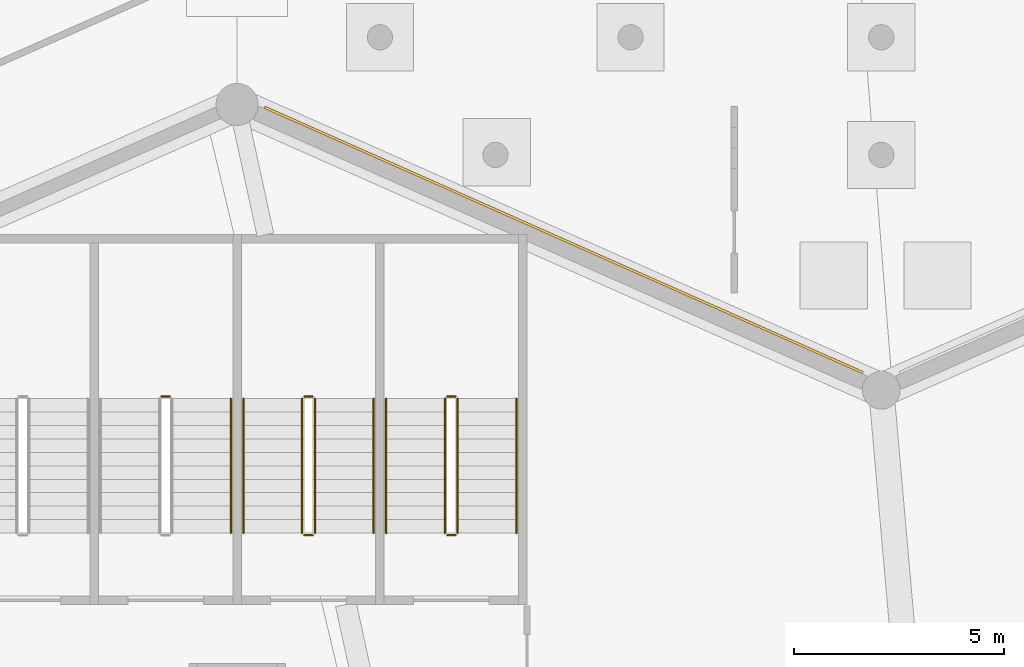
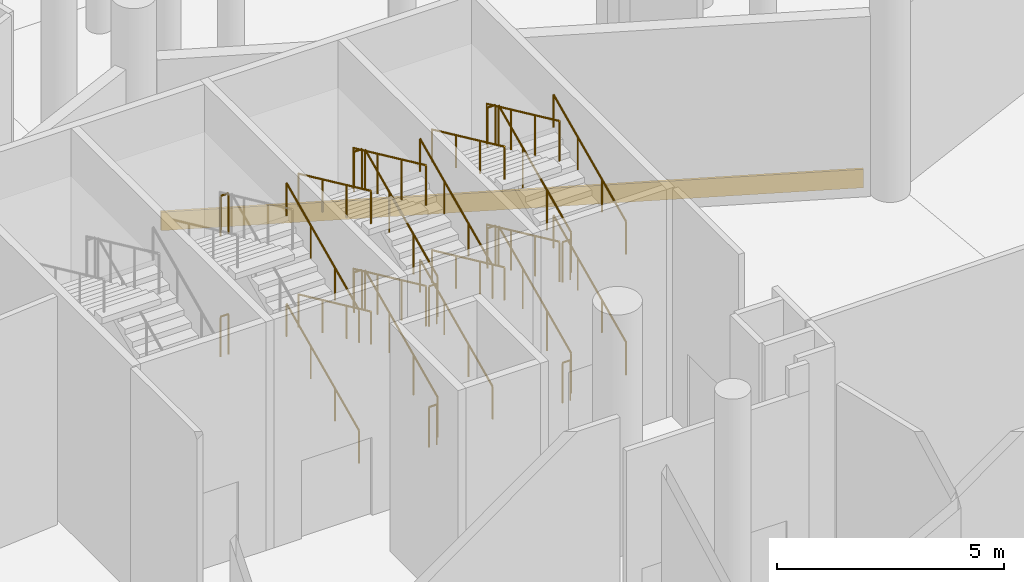
# One storey, part 237 of 255: 28 railings, 1 covering.
"""IFC4 building model written with IfcOpenShell, lengths in metres."""

from ifc_helpers import new_model, si_unit, direction, frame, origin, origin_2d, place, context, subcontext, project, spatial, rectangle, circle, extrude, material, layer, layer_set, type_object, element, save


model = new_model("IFC4")

# Units and contexts
model_context = context("Model", 3, precision=1e-05, world=origin(), true_north=direction((0.0, 1.0)))
body_context = subcontext(model_context, "Body", "Model", "MODEL_VIEW")
ifc_project = project(units=[si_unit("LENGTHUNIT", "METRE"), si_unit("AREAUNIT", "SQUARE_METRE"), si_unit("VOLUMEUNIT", "CUBIC_METRE"), si_unit("PLANEANGLEUNIT", "RADIAN"), si_unit("MASSUNIT", "GRAM", prefix="KILO")], contexts=[model_context])

# Site, building, storey
site_placement = place(None, origin())
site = spatial("IfcSite", under=ifc_project, at=site_placement, CompositionType="ELEMENT")
building_placement = place(site_placement, origin())
building = spatial("IfcBuilding", under=site, at=building_placement, Name="Meseta Stadium", CompositionType="ELEMENT")
storey_placement = place(building_placement, origin())
storey = spatial("IfcBuildingStorey", under=building, at=storey_placement, Name="L00", CompositionType="ELEMENT", Elevation=0.0)

# Covering
ifc_material_1 = material(Name="Guadarrama granite cladding", Category="masonry")
ifc_layer = layer(ifc_material_1, 0.06005859375)
ifc_layer_set = layer_set([ifc_layer], Name="Granite plinth cladding 60")
covering_type = type_object("IfcCoveringType", Name="Granite plinth cladding 60", PredefinedType="CLADDING", material=ifc_layer_set)
covering_placement = place(storey_placement, frame((-15.227294921875, 102.17724609375, 0.0), z_axis=(0.0, 0.0, 1.0), x_axis=(0.914139367606, -0.405400069798, 0.0)))
element("IfcCovering", 1, at=covering_placement, inside=storey, type_object=covering_type, Name="Granite plinth L00 F19", PredefinedType="CLADDING", context=body_context, shape_type="SweptSolid", body=[
    extrude(rectangle(XDim=15.58447265625, YDim=0.06005859375, at=origin_2d()), origin(), (0.0, 0.0, 1.0), 0.5),
])

# Railings
ifc_material_2 = material(Name="Steel S355", Category="steel")
railing_type_1 = type_object("IfcRailingType", Name="Stair guard 1100", PredefinedType="GUARDRAIL", material=ifc_material_2)
railing_1_placement = place(storey_placement, frame((-17.75, 95.199951171875, 0.147705078125)))
element("IfcRailing", 2, at=railing_1_placement, inside=storey, type_object=railing_type_1, Name="ST41 L00 guard 1", PredefinedType="GUARDRAIL", context=body_context, shape_type="SweptSolid", body=[
    extrude(circle(Radius=0.02392578125, at=origin_2d()), frame((0.0, 0.0, 1.076171875), z_axis=(0.0, 0.907916804346, 0.419150422148), x_axis=(-1.0, 0.0, 0.0)), (0.0, 0.0, 1.0), 3.5244140625),
    extrude(circle(Radius=0.02099609375, at=origin_2d()), origin(), (0.0, 0.0, 1.0), 1.052001953125),
    extrude(circle(Radius=0.02099609375, at=origin_2d()), frame((0.0, 1.066650390625, 0.492431640625)), (0.0, 0.0, 1.0), 1.052001953125),
    extrude(circle(Radius=0.02099609375, at=origin_2d()), frame((0.0, 2.13330078125, 0.98486328125)), (0.0, 0.0, 1.0), 1.052001953125),
    extrude(circle(Radius=0.02099609375, at=origin_2d()), frame((0.0, 3.199951171875, 1.477294921875)), (0.0, 0.0, 1.0), 1.052001953125),
])
railing_2_placement = place(storey_placement, frame((-17.800048828125, 98.449951171875, 1.625)))
element("IfcRailing", 3, at=railing_2_placement, inside=storey, type_object=railing_type_1, Name="ST41 L00 guard 2", PredefinedType="GUARDRAIL", context=body_context, shape_type="SweptSolid", body=[
    extrude(circle(Radius=0.02392578125, at=origin_2d()), frame((0.0, 0.0, 1.076171875), z_axis=(-1.0, 0.0, 0.0), x_axis=(0.0, -1.0, 0.0)), (0.0, 0.0, 1.0), 0.199951171875),
    extrude(circle(Radius=0.02099609375, at=origin_2d()), origin(), (0.0, 0.0, 1.0), 1.052001953125),
    extrude(circle(Radius=0.02099609375, at=origin_2d()), frame((-0.199951171875, 0.0, 0.0)), (0.0, 0.0, 1.0), 1.052001953125),
])
railing_3_placement = place(storey_placement, frame((-18.050048828125, 98.39990234375, 1.772705078125)))
element("IfcRailing", 4, at=railing_3_placement, inside=storey, type_object=railing_type_1, Name="ST41 L00 guard 3", PredefinedType="GUARDRAIL", context=body_context, shape_type="SweptSolid", body=[
    extrude(circle(Radius=0.02392578125, at=origin_2d()), frame((0.0, 0.0, 1.076171875), z_axis=(0.0, -0.907916804346, 0.419150422148), x_axis=(1.0, 0.0, 0.0)), (0.0, 0.0, 1.0), 3.5244140625),
    extrude(circle(Radius=0.02099609375, at=origin_2d()), origin(), (0.0, 0.0, 1.0), 1.052001953125),
    extrude(circle(Radius=0.02099609375, at=origin_2d()), frame((0.0, -1.066650390625, 0.492431640625)), (0.0, 0.0, 1.0), 1.052001953125),
    extrude(circle(Radius=0.02099609375, at=origin_2d()), frame((0.0, -2.13330078125, 0.98486328125)), (0.0, 0.0, 1.0), 1.052001953125),
    extrude(circle(Radius=0.02099609375, at=origin_2d()), frame((0.0, -3.199951171875, 1.477294921875)), (0.0, 0.0, 1.0), 1.052001953125),
])
railing_4_placement = place(storey_placement, frame((-17.800048828125, 95.14990234375, 3.25)))
element("IfcRailing", 5, at=railing_4_placement, inside=storey, type_object=railing_type_1, Name="ST41 L00 guard 4", PredefinedType="GUARDRAIL", context=body_context, shape_type="SweptSolid", body=[
    extrude(circle(Radius=0.02392578125, at=origin_2d()), frame((0.0, 0.0, 1.076171875), z_axis=(-1.0, 0.0, 0.0), x_axis=(0.0, -1.0, 0.0)), (0.0, 0.0, 1.0), 0.199951171875),
    extrude(circle(Radius=0.02099609375, at=origin_2d()), origin(), (0.0, 0.0, 1.0), 1.052001953125),
    extrude(circle(Radius=0.02099609375, at=origin_2d()), frame((-0.199951171875, 0.0, 0.0)), (0.0, 0.0, 1.0), 1.052001953125),
])
railing_5_placement = place(storey_placement, frame((-17.75, 95.199951171875, 3.397705078125)))
element("IfcRailing", 6, at=railing_5_placement, inside=storey, type_object=railing_type_1, Name="ST41 L00 guard 5", PredefinedType="GUARDRAIL", context=body_context, shape_type="SweptSolid", body=[
    extrude(circle(Radius=0.02392578125, at=origin_2d()), frame((0.0, 0.0, 1.076171875), z_axis=(0.0, 0.907916804346, 0.419150422148), x_axis=(-1.0, 0.0, 0.0)), (0.0, 0.0, 1.0), 3.5244140625),
    extrude(circle(Radius=0.02099609375, at=origin_2d()), origin(), (0.0, 0.0, 1.0), 1.052001953125),
    extrude(circle(Radius=0.02099609375, at=origin_2d()), frame((0.0, 1.066650390625, 0.492431640625)), (0.0, 0.0, 1.0), 1.052001953125),
    extrude(circle(Radius=0.02099609375, at=origin_2d()), frame((0.0, 2.13330078125, 0.98486328125)), (0.0, 0.0, 1.0), 1.052001953125),
    extrude(circle(Radius=0.02099609375, at=origin_2d()), frame((0.0, 3.199951171875, 1.477294921875)), (0.0, 0.0, 1.0), 1.052001953125),
])
railing_6_placement = place(storey_placement, frame((-17.800048828125, 98.449951171875, 4.875)))
element("IfcRailing", 7, at=railing_6_placement, inside=storey, type_object=railing_type_1, Name="ST41 L00 guard 6", PredefinedType="GUARDRAIL", context=body_context, shape_type="SweptSolid", body=[
    extrude(circle(Radius=0.02392578125, at=origin_2d()), frame((0.0, 0.0, 1.076171875), z_axis=(-1.0, 0.0, 0.0), x_axis=(0.0, -1.0, 0.0)), (0.0, 0.0, 1.0), 0.199951171875),
    extrude(circle(Radius=0.02099609375, at=origin_2d()), origin(), (0.0, 0.0, 1.0), 1.052001953125),
    extrude(circle(Radius=0.02099609375, at=origin_2d()), frame((-0.199951171875, 0.0, 0.0)), (0.0, 0.0, 1.0), 1.052001953125),
])
railing_7_placement = place(storey_placement, frame((-18.050048828125, 98.39990234375, 5.022705078125)))
element("IfcRailing", 8, at=railing_7_placement, inside=storey, type_object=railing_type_1, Name="ST41 L00 guard 7", PredefinedType="GUARDRAIL", context=body_context, shape_type="SweptSolid", body=[
    extrude(circle(Radius=0.02392578125, at=origin_2d()), frame((0.0, 0.0, 1.076171875), z_axis=(0.0, -0.907916804346, 0.419150422148), x_axis=(1.0, 0.0, 0.0)), (0.0, 0.0, 1.0), 3.5244140625),
    extrude(circle(Radius=0.02099609375, at=origin_2d()), origin(), (0.0, 0.0, 1.0), 1.052001953125),
    extrude(circle(Radius=0.02099609375, at=origin_2d()), frame((0.0, -1.066650390625, 0.492431640625)), (0.0, 0.0, 1.0), 1.052001953125),
    extrude(circle(Radius=0.02099609375, at=origin_2d()), frame((0.0, -2.13330078125, 0.98486328125)), (0.0, 0.0, 1.0), 1.052001953125),
    extrude(circle(Radius=0.02099609375, at=origin_2d()), frame((0.0, -3.199951171875, 1.477294921875)), (0.0, 0.0, 1.0), 1.052001953125),
])
railing_8_placement = place(storey_placement, frame((-17.800048828125, 95.14990234375, 0.0)))
element("IfcRailing", 9, at=railing_8_placement, inside=storey, type_object=railing_type_1, Name="ST41 L00 guard 8", PredefinedType="GUARDRAIL", context=body_context, shape_type="SweptSolid", body=[
    extrude(circle(Radius=0.02392578125, at=origin_2d()), frame((0.0, 0.0, 1.076171875), z_axis=(-1.0, 0.0, 0.0), x_axis=(0.0, -1.0, 0.0)), (0.0, 0.0, 1.0), 0.199951171875),
    extrude(circle(Radius=0.02099609375, at=origin_2d()), origin(), (0.0, 0.0, 1.0), 1.052001953125),
    extrude(circle(Radius=0.02099609375, at=origin_2d()), frame((-0.199951171875, 0.0, 0.0)), (0.0, 0.0, 1.0), 1.052001953125),
])
railing_9_placement = place(storey_placement, frame((-21.14990234375, 95.199951171875, 0.147705078125)))
element("IfcRailing", 10, at=railing_9_placement, inside=storey, type_object=railing_type_1, Name="ST42 L00 guard 1", PredefinedType="GUARDRAIL", context=body_context, shape_type="SweptSolid", body=[
    extrude(circle(Radius=0.02392578125, at=origin_2d()), frame((0.0, 0.0, 1.076171875), z_axis=(0.0, 0.907916804346, 0.419150422148), x_axis=(-1.0, 0.0, 0.0)), (0.0, 0.0, 1.0), 3.5244140625),
    extrude(circle(Radius=0.02099609375, at=origin_2d()), origin(), (0.0, 0.0, 1.0), 1.052001953125),
    extrude(circle(Radius=0.02099609375, at=origin_2d()), frame((0.0, 1.066650390625, 0.492431640625)), (0.0, 0.0, 1.0), 1.052001953125),
    extrude(circle(Radius=0.02099609375, at=origin_2d()), frame((0.0, 2.13330078125, 0.98486328125)), (0.0, 0.0, 1.0), 1.052001953125),
    extrude(circle(Radius=0.02099609375, at=origin_2d()), frame((0.0, 3.199951171875, 1.477294921875)), (0.0, 0.0, 1.0), 1.052001953125),
])
railing_10_placement = place(storey_placement, frame((-21.199951171875, 98.449951171875, 1.625)))
element("IfcRailing", 11, at=railing_10_placement, inside=storey, type_object=railing_type_1, Name="ST42 L00 guard 2", PredefinedType="GUARDRAIL", context=body_context, shape_type="SweptSolid", body=[
    extrude(circle(Radius=0.02392578125, at=origin_2d()), frame((0.0, 0.0, 1.076171875), z_axis=(-1.0, 0.0, 0.0), x_axis=(0.0, -1.0, 0.0)), (0.0, 0.0, 1.0), 0.199951171875),
    extrude(circle(Radius=0.02099609375, at=origin_2d()), origin(), (0.0, 0.0, 1.0), 1.052001953125),
    extrude(circle(Radius=0.02099609375, at=origin_2d()), frame((-0.199951171875, 0.0, 0.0)), (0.0, 0.0, 1.0), 1.052001953125),
])
railing_11_placement = place(storey_placement, frame((-21.449951171875, 98.39990234375, 1.772705078125)))
element("IfcRailing", 12, at=railing_11_placement, inside=storey, type_object=railing_type_1, Name="ST42 L00 guard 3", PredefinedType="GUARDRAIL", context=body_context, shape_type="SweptSolid", body=[
    extrude(circle(Radius=0.02392578125, at=origin_2d()), frame((0.0, 0.0, 1.076171875), z_axis=(0.0, -0.907916804346, 0.419150422148), x_axis=(1.0, 0.0, 0.0)), (0.0, 0.0, 1.0), 3.5244140625),
    extrude(circle(Radius=0.02099609375, at=origin_2d()), origin(), (0.0, 0.0, 1.0), 1.052001953125),
    extrude(circle(Radius=0.02099609375, at=origin_2d()), frame((0.0, -1.066650390625, 0.492431640625)), (0.0, 0.0, 1.0), 1.052001953125),
    extrude(circle(Radius=0.02099609375, at=origin_2d()), frame((0.0, -2.13330078125, 0.98486328125)), (0.0, 0.0, 1.0), 1.052001953125),
    extrude(circle(Radius=0.02099609375, at=origin_2d()), frame((0.0, -3.199951171875, 1.477294921875)), (0.0, 0.0, 1.0), 1.052001953125),
])
railing_12_placement = place(storey_placement, frame((-21.199951171875, 95.14990234375, 3.25)))
element("IfcRailing", 13, at=railing_12_placement, inside=storey, type_object=railing_type_1, Name="ST42 L00 guard 4", PredefinedType="GUARDRAIL", context=body_context, shape_type="SweptSolid", body=[
    extrude(circle(Radius=0.02392578125, at=origin_2d()), frame((0.0, 0.0, 1.076171875), z_axis=(-1.0, 0.0, 0.0), x_axis=(0.0, -1.0, 0.0)), (0.0, 0.0, 1.0), 0.199951171875),
    extrude(circle(Radius=0.02099609375, at=origin_2d()), origin(), (0.0, 0.0, 1.0), 1.052001953125),
    extrude(circle(Radius=0.02099609375, at=origin_2d()), frame((-0.199951171875, 0.0, 0.0)), (0.0, 0.0, 1.0), 1.052001953125),
])
railing_13_placement = place(storey_placement, frame((-21.14990234375, 95.199951171875, 3.397705078125)))
element("IfcRailing", 14, at=railing_13_placement, inside=storey, type_object=railing_type_1, Name="ST42 L00 guard 5", PredefinedType="GUARDRAIL", context=body_context, shape_type="SweptSolid", body=[
    extrude(circle(Radius=0.02392578125, at=origin_2d()), frame((0.0, 0.0, 1.076171875), z_axis=(0.0, 0.907916804346, 0.419150422148), x_axis=(-1.0, 0.0, 0.0)), (0.0, 0.0, 1.0), 3.5244140625),
    extrude(circle(Radius=0.02099609375, at=origin_2d()), origin(), (0.0, 0.0, 1.0), 1.052001953125),
    extrude(circle(Radius=0.02099609375, at=origin_2d()), frame((0.0, 1.066650390625, 0.492431640625)), (0.0, 0.0, 1.0), 1.052001953125),
    extrude(circle(Radius=0.02099609375, at=origin_2d()), frame((0.0, 2.13330078125, 0.98486328125)), (0.0, 0.0, 1.0), 1.052001953125),
    extrude(circle(Radius=0.02099609375, at=origin_2d()), frame((0.0, 3.199951171875, 1.477294921875)), (0.0, 0.0, 1.0), 1.052001953125),
])
railing_14_placement = place(storey_placement, frame((-21.199951171875, 98.449951171875, 4.875)))
element("IfcRailing", 15, at=railing_14_placement, inside=storey, type_object=railing_type_1, Name="ST42 L00 guard 6", PredefinedType="GUARDRAIL", context=body_context, shape_type="SweptSolid", body=[
    extrude(circle(Radius=0.02392578125, at=origin_2d()), frame((0.0, 0.0, 1.076171875), z_axis=(-1.0, 0.0, 0.0), x_axis=(0.0, -1.0, 0.0)), (0.0, 0.0, 1.0), 0.199951171875),
    extrude(circle(Radius=0.02099609375, at=origin_2d()), origin(), (0.0, 0.0, 1.0), 1.052001953125),
    extrude(circle(Radius=0.02099609375, at=origin_2d()), frame((-0.199951171875, 0.0, 0.0)), (0.0, 0.0, 1.0), 1.052001953125),
])
railing_15_placement = place(storey_placement, frame((-21.449951171875, 98.39990234375, 5.022705078125)))
element("IfcRailing", 16, at=railing_15_placement, inside=storey, type_object=railing_type_1, Name="ST42 L00 guard 7", PredefinedType="GUARDRAIL", context=body_context, shape_type="SweptSolid", body=[
    extrude(circle(Radius=0.02392578125, at=origin_2d()), frame((0.0, 0.0, 1.076171875), z_axis=(0.0, -0.907916804346, 0.419150422148), x_axis=(1.0, 0.0, 0.0)), (0.0, 0.0, 1.0), 3.5244140625),
    extrude(circle(Radius=0.02099609375, at=origin_2d()), origin(), (0.0, 0.0, 1.0), 1.052001953125),
    extrude(circle(Radius=0.02099609375, at=origin_2d()), frame((0.0, -1.066650390625, 0.492431640625)), (0.0, 0.0, 1.0), 1.052001953125),
    extrude(circle(Radius=0.02099609375, at=origin_2d()), frame((0.0, -2.13330078125, 0.98486328125)), (0.0, 0.0, 1.0), 1.052001953125),
    extrude(circle(Radius=0.02099609375, at=origin_2d()), frame((0.0, -3.199951171875, 1.477294921875)), (0.0, 0.0, 1.0), 1.052001953125),
])
for number, where, name in (
    (17, (-21.199951171875, 95.14990234375, 0.0), "ST42 L00 guard 8"),
    (18, (-24.60009765625, 98.449951171875, 1.625), "ST43 L00 guard 2"),
    (19, (-24.60009765625, 98.449951171875, 4.875), "ST43 L00 guard 6"),
):
    element("IfcRailing", number, at=place(storey_placement, frame(where)), inside=storey, type_object=railing_type_1, Name=name, PredefinedType="GUARDRAIL", context=body_context, shape_type="SweptSolid", body=[
        extrude(circle(Radius=0.02392578125, at=origin_2d()), frame((0.0, 0.0, 1.076171875), z_axis=(-1.0, 0.0, 0.0), x_axis=(0.0, -1.0, 0.0)), (0.0, 0.0, 1.0), 0.199951171875),
        extrude(circle(Radius=0.02099609375, at=origin_2d()), origin(), (0.0, 0.0, 1.0), 1.052001953125),
        extrude(circle(Radius=0.02099609375, at=origin_2d()), frame((-0.199951171875, 0.0, 0.0)), (0.0, 0.0, 1.0), 1.052001953125),
    ])
ifc_material_3 = material(Name="Steel S355", Category="steel")
railing_type_2 = type_object("IfcRailingType", Name="Stair handrail 900", PredefinedType="HANDRAIL", material=ifc_material_3)
railing_16_placement = place(storey_placement, frame((-16.35009765625, 95.199951171875, 0.147705078125)))
element("IfcRailing", 20, at=railing_16_placement, inside=storey, type_object=railing_type_2, Name="ST41 L00 handrail 1", PredefinedType="HANDRAIL", context=body_context, shape_type="SweptSolid", body=[
    extrude(circle(Radius=0.02392578125, at=origin_2d()), frame((0.0, 0.0, 0.8759765625), z_axis=(0.0, 0.907916804346, 0.419150422148), x_axis=(-1.0, 0.0, 0.0)), (0.0, 0.0, 1.0), 3.5244140625),
    extrude(circle(Radius=0.02099609375, at=origin_2d()), origin(), (0.0, 0.0, 1.0), 0.851806640625),
    extrude(circle(Radius=0.02099609375, at=origin_2d()), frame((0.0, 1.066650390625, 0.492431640625)), (0.0, 0.0, 1.0), 0.851806640625),
    extrude(circle(Radius=0.02099609375, at=origin_2d()), frame((0.0, 2.13330078125, 0.98486328125)), (0.0, 0.0, 1.0), 0.851806640625),
    extrude(circle(Radius=0.02099609375, at=origin_2d()), frame((0.0, 3.199951171875, 1.477294921875)), (0.0, 0.0, 1.0), 0.851806640625),
])
railing_17_placement = place(storey_placement, frame((-19.449951171875, 98.39990234375, 1.772705078125)))
element("IfcRailing", 21, at=railing_17_placement, inside=storey, type_object=railing_type_2, Name="ST41 L00 handrail 2", PredefinedType="HANDRAIL", context=body_context, shape_type="SweptSolid", body=[
    extrude(circle(Radius=0.02392578125, at=origin_2d()), frame((0.0, 0.0, 0.8759765625), z_axis=(0.0, -0.907916804346, 0.419150422148), x_axis=(1.0, 0.0, 0.0)), (0.0, 0.0, 1.0), 3.5244140625),
    extrude(circle(Radius=0.02099609375, at=origin_2d()), origin(), (0.0, 0.0, 1.0), 0.851806640625),
    extrude(circle(Radius=0.02099609375, at=origin_2d()), frame((0.0, -1.066650390625, 0.492431640625)), (0.0, 0.0, 1.0), 0.851806640625),
    extrude(circle(Radius=0.02099609375, at=origin_2d()), frame((0.0, -2.13330078125, 0.98486328125)), (0.0, 0.0, 1.0), 0.851806640625),
    extrude(circle(Radius=0.02099609375, at=origin_2d()), frame((0.0, -3.199951171875, 1.477294921875)), (0.0, 0.0, 1.0), 0.851806640625),
])
railing_18_placement = place(storey_placement, frame((-16.35009765625, 95.199951171875, 3.397705078125)))
element("IfcRailing", 22, at=railing_18_placement, inside=storey, type_object=railing_type_2, Name="ST41 L00 handrail 3", PredefinedType="HANDRAIL", context=body_context, shape_type="SweptSolid", body=[
    extrude(circle(Radius=0.02392578125, at=origin_2d()), frame((0.0, 0.0, 0.8759765625), z_axis=(0.0, 0.907916804346, 0.419150422148), x_axis=(-1.0, 0.0, 0.0)), (0.0, 0.0, 1.0), 3.5244140625),
    extrude(circle(Radius=0.02099609375, at=origin_2d()), origin(), (0.0, 0.0, 1.0), 0.851806640625),
    extrude(circle(Radius=0.02099609375, at=origin_2d()), frame((0.0, 1.066650390625, 0.492431640625)), (0.0, 0.0, 1.0), 0.851806640625),
    extrude(circle(Radius=0.02099609375, at=origin_2d()), frame((0.0, 2.13330078125, 0.98486328125)), (0.0, 0.0, 1.0), 0.851806640625),
    extrude(circle(Radius=0.02099609375, at=origin_2d()), frame((0.0, 3.199951171875, 1.477294921875)), (0.0, 0.0, 1.0), 0.851806640625),
])
railing_19_placement = place(storey_placement, frame((-19.449951171875, 98.39990234375, 5.022705078125)))
element("IfcRailing", 23, at=railing_19_placement, inside=storey, type_object=railing_type_2, Name="ST41 L00 handrail 4", PredefinedType="HANDRAIL", context=body_context, shape_type="SweptSolid", body=[
    extrude(circle(Radius=0.02392578125, at=origin_2d()), frame((0.0, 0.0, 0.8759765625), z_axis=(0.0, -0.907916804346, 0.419150422148), x_axis=(1.0, 0.0, 0.0)), (0.0, 0.0, 1.0), 3.5244140625),
    extrude(circle(Radius=0.02099609375, at=origin_2d()), origin(), (0.0, 0.0, 1.0), 0.851806640625),
    extrude(circle(Radius=0.02099609375, at=origin_2d()), frame((0.0, -1.066650390625, 0.492431640625)), (0.0, 0.0, 1.0), 0.851806640625),
    extrude(circle(Radius=0.02099609375, at=origin_2d()), frame((0.0, -2.13330078125, 0.98486328125)), (0.0, 0.0, 1.0), 0.851806640625),
    extrude(circle(Radius=0.02099609375, at=origin_2d()), frame((0.0, -3.199951171875, 1.477294921875)), (0.0, 0.0, 1.0), 0.851806640625),
])
railing_20_placement = place(storey_placement, frame((-19.75, 95.199951171875, 0.147705078125)))
element("IfcRailing", 24, at=railing_20_placement, inside=storey, type_object=railing_type_2, Name="ST42 L00 handrail 1", PredefinedType="HANDRAIL", context=body_context, shape_type="SweptSolid", body=[
    extrude(circle(Radius=0.02392578125, at=origin_2d()), frame((0.0, 0.0, 0.8759765625), z_axis=(0.0, 0.907916804346, 0.419150422148), x_axis=(-1.0, 0.0, 0.0)), (0.0, 0.0, 1.0), 3.5244140625),
    extrude(circle(Radius=0.02099609375, at=origin_2d()), origin(), (0.0, 0.0, 1.0), 0.851806640625),
    extrude(circle(Radius=0.02099609375, at=origin_2d()), frame((0.0, 1.066650390625, 0.492431640625)), (0.0, 0.0, 1.0), 0.851806640625),
    extrude(circle(Radius=0.02099609375, at=origin_2d()), frame((0.0, 2.13330078125, 0.98486328125)), (0.0, 0.0, 1.0), 0.851806640625),
    extrude(circle(Radius=0.02099609375, at=origin_2d()), frame((0.0, 3.199951171875, 1.477294921875)), (0.0, 0.0, 1.0), 0.851806640625),
])
railing_21_placement = place(storey_placement, frame((-22.85009765625, 98.39990234375, 1.772705078125)))
element("IfcRailing", 25, at=railing_21_placement, inside=storey, type_object=railing_type_2, Name="ST42 L00 handrail 2", PredefinedType="HANDRAIL", context=body_context, shape_type="SweptSolid", body=[
    extrude(circle(Radius=0.02392578125, at=origin_2d()), frame((0.0, 0.0, 0.8759765625), z_axis=(0.0, -0.907916804346, 0.419150422148), x_axis=(1.0, 0.0, 0.0)), (0.0, 0.0, 1.0), 3.5244140625),
    extrude(circle(Radius=0.02099609375, at=origin_2d()), origin(), (0.0, 0.0, 1.0), 0.851806640625),
    extrude(circle(Radius=0.02099609375, at=origin_2d()), frame((0.0, -1.066650390625, 0.492431640625)), (0.0, 0.0, 1.0), 0.851806640625),
    extrude(circle(Radius=0.02099609375, at=origin_2d()), frame((0.0, -2.13330078125, 0.98486328125)), (0.0, 0.0, 1.0), 0.851806640625),
    extrude(circle(Radius=0.02099609375, at=origin_2d()), frame((0.0, -3.199951171875, 1.477294921875)), (0.0, 0.0, 1.0), 0.851806640625),
])
railing_22_placement = place(storey_placement, frame((-19.75, 95.199951171875, 3.397705078125)))
element("IfcRailing", 26, at=railing_22_placement, inside=storey, type_object=railing_type_2, Name="ST42 L00 handrail 3", PredefinedType="HANDRAIL", context=body_context, shape_type="SweptSolid", body=[
    extrude(circle(Radius=0.02392578125, at=origin_2d()), frame((0.0, 0.0, 0.8759765625), z_axis=(0.0, 0.907916804346, 0.419150422148), x_axis=(-1.0, 0.0, 0.0)), (0.0, 0.0, 1.0), 3.5244140625),
    extrude(circle(Radius=0.02099609375, at=origin_2d()), origin(), (0.0, 0.0, 1.0), 0.851806640625),
    extrude(circle(Radius=0.02099609375, at=origin_2d()), frame((0.0, 1.066650390625, 0.492431640625)), (0.0, 0.0, 1.0), 0.851806640625),
    extrude(circle(Radius=0.02099609375, at=origin_2d()), frame((0.0, 2.13330078125, 0.98486328125)), (0.0, 0.0, 1.0), 0.851806640625),
    extrude(circle(Radius=0.02099609375, at=origin_2d()), frame((0.0, 3.199951171875, 1.477294921875)), (0.0, 0.0, 1.0), 0.851806640625),
])
railing_23_placement = place(storey_placement, frame((-22.85009765625, 98.39990234375, 5.022705078125)))
element("IfcRailing", 27, at=railing_23_placement, inside=storey, type_object=railing_type_2, Name="ST42 L00 handrail 4", PredefinedType="HANDRAIL", context=body_context, shape_type="SweptSolid", body=[
    extrude(circle(Radius=0.02392578125, at=origin_2d()), frame((0.0, 0.0, 0.8759765625), z_axis=(0.0, -0.907916804346, 0.419150422148), x_axis=(1.0, 0.0, 0.0)), (0.0, 0.0, 1.0), 3.5244140625),
    extrude(circle(Radius=0.02099609375, at=origin_2d()), origin(), (0.0, 0.0, 1.0), 0.851806640625),
    extrude(circle(Radius=0.02099609375, at=origin_2d()), frame((0.0, -1.066650390625, 0.492431640625)), (0.0, 0.0, 1.0), 0.851806640625),
    extrude(circle(Radius=0.02099609375, at=origin_2d()), frame((0.0, -2.13330078125, 0.98486328125)), (0.0, 0.0, 1.0), 0.851806640625),
    extrude(circle(Radius=0.02099609375, at=origin_2d()), frame((0.0, -3.199951171875, 1.477294921875)), (0.0, 0.0, 1.0), 0.851806640625),
])
for number, where, name in (
    (28, (-23.14990234375, 95.199951171875, 0.147705078125), "ST43 L00 handrail 1"),
    (29, (-23.14990234375, 95.199951171875, 3.397705078125), "ST43 L00 handrail 3"),
):
    element("IfcRailing", number, at=place(storey_placement, frame(where)), inside=storey, type_object=railing_type_2, Name=name, PredefinedType="HANDRAIL", context=body_context, shape_type="SweptSolid", body=[
        extrude(circle(Radius=0.02392578125, at=origin_2d()), frame((0.0, 0.0, 0.8759765625), z_axis=(0.0, 0.907916804346, 0.419150422148), x_axis=(-1.0, 0.0, 0.0)), (0.0, 0.0, 1.0), 3.5244140625),
        extrude(circle(Radius=0.02099609375, at=origin_2d()), origin(), (0.0, 0.0, 1.0), 0.851806640625),
        extrude(circle(Radius=0.02099609375, at=origin_2d()), frame((0.0, 1.066650390625, 0.492431640625)), (0.0, 0.0, 1.0), 0.851806640625),
        extrude(circle(Radius=0.02099609375, at=origin_2d()), frame((0.0, 2.13330078125, 0.98486328125)), (0.0, 0.0, 1.0), 0.851806640625),
        extrude(circle(Radius=0.02099609375, at=origin_2d()), frame((0.0, 3.199951171875, 1.477294921875)), (0.0, 0.0, 1.0), 0.851806640625),
    ])

save(model, "model.ifc")
